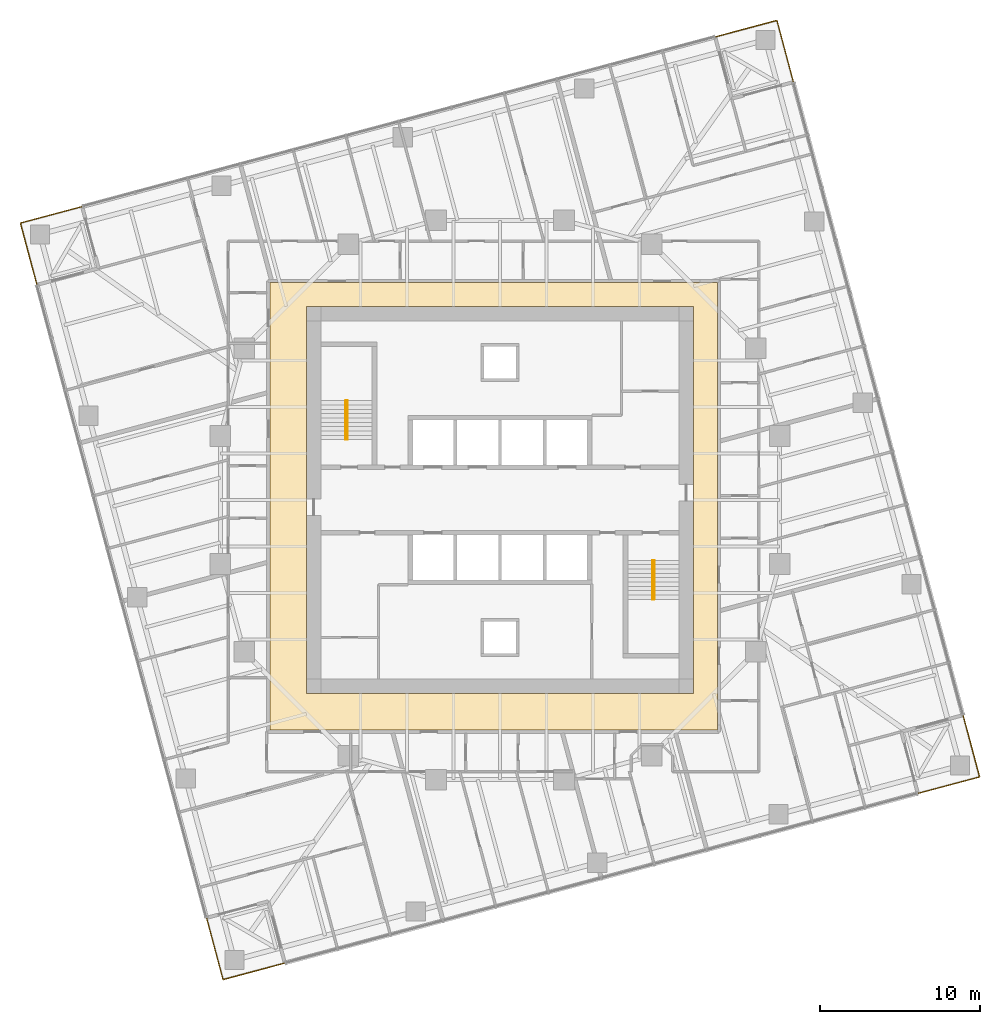
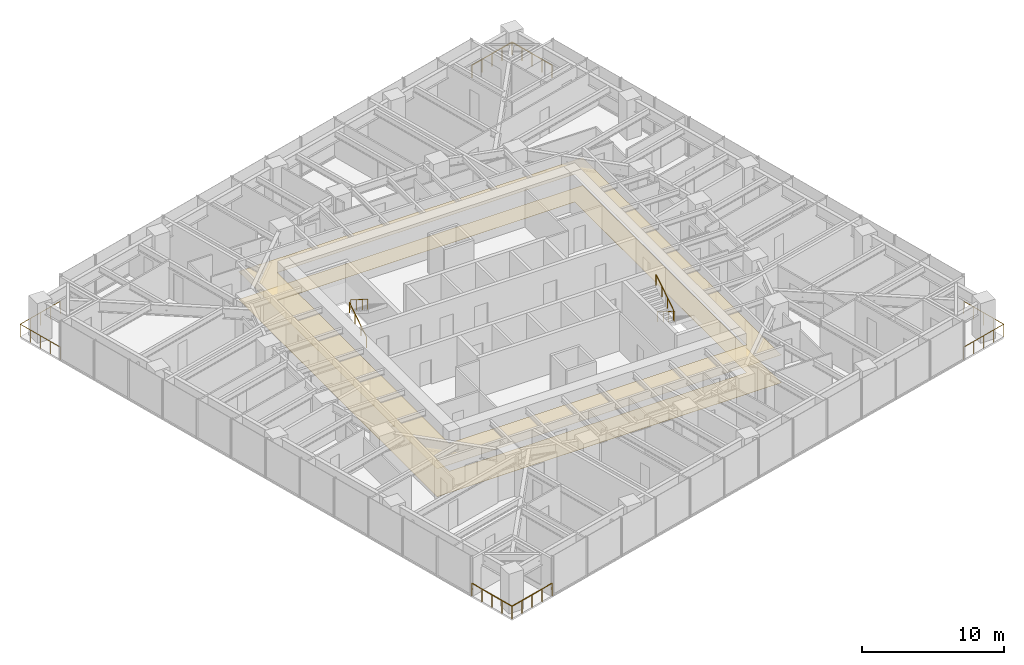
# One storey, part 14 of 14: 8 railings, 2 coverings, 2 elements without a shape of their own.
"""IFC4 building model written with IfcOpenShell, lengths in metres."""

from ifc_helpers import new_model, si_unit, direction, frame, origin, origin_2d, place, context, subcontext, project, spatial, polyline, circle, outline, extrude, material, layer, layer_set, type_object, element, aggregate, save


model = new_model("IFC4")

# Units and contexts
model_context = context("Model", 3, precision=1e-05, world=origin(), true_north=direction((0.0, 1.0)))
body_context = subcontext(model_context, "Body", "Model", "MODEL_VIEW")
ifc_project = project(units=[si_unit("LENGTHUNIT", "METRE"), si_unit("AREAUNIT", "SQUARE_METRE"), si_unit("VOLUMEUNIT", "CUBIC_METRE"), si_unit("PLANEANGLEUNIT", "RADIAN"), si_unit("MASSUNIT", "GRAM", prefix="KILO")], contexts=[model_context])

# Site, building, storey
site_placement = place(None, origin())
site = spatial("IfcSite", under=ifc_project, at=site_placement, CompositionType="ELEMENT")
building_placement = place(site_placement, origin())
building = spatial("IfcBuilding", under=site, at=building_placement, Name="Torsade Residences", CompositionType="ELEMENT")
storey_placement = place(building_placement, frame((0.0, 0.0, 128.60009765625)))
storey = spatial("IfcBuildingStorey", under=building, at=storey_placement, Name="L35", CompositionType="ELEMENT", Elevation=128.60009765625)

# Coverings
ifc_material_1 = material(Name="Nylon carpet tile on underlay", Category="textile")
ifc_layer_1 = layer(ifc_material_1, 0.010009765625)
ifc_layer_set_1 = layer_set([ifc_layer_1], Name="Nylon carpet tile on underlay")
covering_type_1 = type_object("IfcCoveringType", Name="CORRIDOR CARPET TILE 10", PredefinedType="FLOORING", material=ifc_layer_set_1)
covering_1_placement = place(storey_placement, origin())
element("IfcCovering", 1, at=covering_1_placement, inside=storey, type_object=covering_type_1, Name="Corridor carpet L35", PredefinedType="FLOORING", context=body_context, shape_type="SweptSolid", body=[
    extrude(outline(polyline([(53.60009765625, 15.60009765625), (53.60009765625, 43.60009765625), (25.60009765625, 43.60009765625), (25.60009765625, 15.60009765625), (53.60009765625, 15.60009765625)]), holes=[polyline([(52.10009765625, 42.10009765625), (27.89990234375, 42.10009765625), (27.89990234375, 17.89990234375), (52.10009765625, 17.89990234375), (52.10009765625, 42.10009765625)])]), origin(), (0.0, 0.0, 1.0), 0.010009765625),
])
ifc_material_2 = material(Name="Plasterboard on suspended steel grid", Category="steel")
ifc_layer_2 = layer(ifc_material_2, 0.012939453125)
ifc_layer_set_2 = layer_set([ifc_layer_2], Name="Plasterboard on suspended steel grid")
covering_type_2 = type_object("IfcCoveringType", Name="CORRIDOR SUSPENDED CEILING 13", PredefinedType="CEILING", material=ifc_layer_set_2)
covering_2_placement = place(storey_placement, frame((0.0, 0.0, 2.39990234375)))
element("IfcCovering", 2, at=covering_2_placement, inside=storey, type_object=covering_type_2, Name="Corridor ceiling L35", PredefinedType="CEILING", context=body_context, shape_type="SweptSolid", body=[
    extrude(outline(polyline([(53.60009765625, 15.60009765625), (53.60009765625, 43.60009765625), (25.60009765625, 43.60009765625), (25.60009765625, 15.60009765625), (53.60009765625, 15.60009765625)]), holes=[polyline([(52.10009765625, 42.10009765625), (27.89990234375, 42.10009765625), (27.89990234375, 17.89990234375), (52.10009765625, 17.89990234375), (52.10009765625, 42.10009765625)])]), origin(), (0.0, 0.0, 1.0), 0.012939453125),
])

# Stair, railings
ifc_material_3 = material(Name="Precast concrete 40 MPa", Category="concrete")
stair_type = type_object("IfcStairType", Name="HALF-TURN FIRE STAIR 1500x3400", PredefinedType="HALF_TURN_STAIR", material=ifc_material_3)
stair_1_placement = place(storey_placement, origin())
stair_1 = element("IfcStair", 3, at=stair_1_placement, inside=storey, type_object=stair_type, Name="Stair ST1 L35", PredefinedType="HALF_TURN_STAIR")
ifc_material_4 = material(Name="Steel handrail", Category="steel")
railing_type_1 = type_object("IfcRailingType", Name="STAIR HANDRAIL 900", PredefinedType="HANDRAIL", material=ifc_material_4)
railing_1_placement = place(storey_placement, frame((30.35009765625, 33.780029296875, 0.169921875)))
railing_1 = element("IfcRailing", 4, at=railing_1_placement, type_object=railing_type_1, Name="Handrail ST1 flight 1 L35", PredefinedType="HANDRAIL", context=body_context, shape_type="SweptSolid", body=[
    extrude(circle(Radius=0.02392578125, at=origin_2d()), frame((0.0, 0.0, 0.8759765625), z_axis=(0.0, 0.846221481393, 0.532831309544), x_axis=(-1.0, 0.0, 0.0)), (0.0, 0.0, 1.0), 2.87158203125),
    extrude(circle(Radius=0.02099609375, at=origin_2d()), origin(), (0.0, 0.0, 1.0), 0.851806640625),
    extrude(circle(Radius=0.02099609375, at=origin_2d()), frame((0.0, 0.81005859375, 0.510009765625)), (0.0, 0.0, 1.0), 0.851806640625),
    extrude(circle(Radius=0.02099609375, at=origin_2d()), frame((0.0, 1.619873046875, 1.02001953125)), (0.0, 0.0, 1.0), 0.851806640625),
    extrude(circle(Radius=0.02099609375, at=origin_2d()), frame((0.0, 2.429931640625, 1.530029296875)), (0.0, 0.0, 1.0), 0.851806640625),
])
railing_2_placement = place(storey_placement, frame((30.449951171875, 36.2099609375, 1.869873046875)))
railing_2 = element("IfcRailing", 5, at=railing_2_placement, type_object=railing_type_1, Name="Handrail ST1 flight 2 L35", PredefinedType="HANDRAIL", context=body_context, shape_type="SweptSolid", body=[
    extrude(circle(Radius=0.02392578125, at=origin_2d()), frame((0.0, 0.0, 0.8759765625), z_axis=(0.0, -0.846221481393, 0.532831309544), x_axis=(1.0, 0.0, 0.0)), (0.0, 0.0, 1.0), 2.87158203125),
    extrude(circle(Radius=0.02099609375, at=origin_2d()), origin(), (0.0, 0.0, 1.0), 0.851806640625),
    extrude(circle(Radius=0.02099609375, at=origin_2d()), frame((0.0, -0.81005859375, 0.510009765625)), (0.0, 0.0, 1.0), 0.851806640625),
    extrude(circle(Radius=0.02099609375, at=origin_2d()), frame((0.0, -1.619873046875, 1.02001953125)), (0.0, 0.0, 1.0), 0.851806640625),
    extrude(circle(Radius=0.02099609375, at=origin_2d()), frame((0.0, -2.429931640625, 1.530029296875)), (0.0, 0.0, 1.0), 0.851806640625),
])
aggregate(stair_1, [railing_1, railing_2])

stair_2_placement = place(storey_placement, origin())
stair_2 = element("IfcStair", 6, at=stair_2_placement, inside=storey, type_object=stair_type, Name="Stair ST2 L35", PredefinedType="HALF_TURN_STAIR")
railing_3_placement = place(storey_placement, frame((49.64990234375, 26.219970703125, 0.169921875)))
railing_3 = element("IfcRailing", 7, at=railing_3_placement, type_object=railing_type_1, Name="Handrail ST2 flight 1 L35", PredefinedType="HANDRAIL", context=body_context, shape_type="SweptSolid", body=[
    extrude(circle(Radius=0.02392578125, at=origin_2d()), frame((0.0, 0.0, 0.8759765625), z_axis=(0.0, -0.846221481393, 0.532831309544), x_axis=(1.0, 0.0, 0.0)), (0.0, 0.0, 1.0), 2.87158203125),
    extrude(circle(Radius=0.02099609375, at=origin_2d()), origin(), (0.0, 0.0, 1.0), 0.851806640625),
    extrude(circle(Radius=0.02099609375, at=origin_2d()), frame((0.0, -0.81005859375, 0.510009765625)), (0.0, 0.0, 1.0), 0.851806640625),
    extrude(circle(Radius=0.02099609375, at=origin_2d()), frame((0.0, -1.619873046875, 1.02001953125)), (0.0, 0.0, 1.0), 0.851806640625),
    extrude(circle(Radius=0.02099609375, at=origin_2d()), frame((0.0, -2.429931640625, 1.530029296875)), (0.0, 0.0, 1.0), 0.851806640625),
])
railing_4_placement = place(storey_placement, frame((49.550048828125, 23.7900390625, 1.869873046875)))
railing_4 = element("IfcRailing", 8, at=railing_4_placement, type_object=railing_type_1, Name="Handrail ST2 flight 2 L35", PredefinedType="HANDRAIL", context=body_context, shape_type="SweptSolid", body=[
    extrude(circle(Radius=0.02392578125, at=origin_2d()), frame((0.0, 0.0, 0.8759765625), z_axis=(0.0, 0.846221481393, 0.532831309544), x_axis=(-1.0, 0.0, 0.0)), (0.0, 0.0, 1.0), 2.87158203125),
    extrude(circle(Radius=0.02099609375, at=origin_2d()), origin(), (0.0, 0.0, 1.0), 0.851806640625),
    extrude(circle(Radius=0.02099609375, at=origin_2d()), frame((0.0, 0.81005859375, 0.510009765625)), (0.0, 0.0, 1.0), 0.851806640625),
    extrude(circle(Radius=0.02099609375, at=origin_2d()), frame((0.0, 1.619873046875, 1.02001953125)), (0.0, 0.0, 1.0), 0.851806640625),
    extrude(circle(Radius=0.02099609375, at=origin_2d()), frame((0.0, 2.429931640625, 1.530029296875)), (0.0, 0.0, 1.0), 0.851806640625),
])
aggregate(stair_2, [railing_3, railing_4])

# Railings
ifc_material_5 = material(Name="Laminated glass balustrade", Category="glass")
railing_type_2 = type_object("IfcRailingType", Name="TERRACE GLASS BALUSTRADE 1100", PredefinedType="BALUSTRADE", material=ifc_material_5)
railing_5_placement = place(storey_placement, frame((66.142578125, 11.640625, 0.0)))
element("IfcRailing", 9, at=railing_5_placement, inside=storey, type_object=railing_type_2, Name="Terrace balustrade SE L35", PredefinedType="BALUSTRADE", context=body_context, shape_type="SweptSolid", body=[
    extrude(circle(Radius=0.02392578125, at=origin_2d()), frame((0.0, 0.0, 1.076171875), z_axis=(0.965934430412, 0.258786931944, 0.0), x_axis=(-0.258786931944, 0.965934430412, 0.0)), (0.0, 0.0, 1.0), 4.0),
    extrude(circle(Radius=0.02392578125, at=origin_2d()), frame((3.86376953125, 1.03515625, 1.076171875), z_axis=(-0.258843877716, 0.965919172068, 0.0), x_axis=(-0.965919172068, -0.258843877716, 0.0)), (0.0, 0.0, 1.0), 4.0),
    extrude(circle(Radius=0.02099609375, at=origin_2d()), origin(), (0.0, 0.0, 1.0), 1.052001953125),
    extrude(circle(Radius=0.02099609375, at=origin_2d()), frame((0.9658203125, 0.2587890625, 0.0)), (0.0, 0.0, 1.0), 1.052001953125),
    extrude(circle(Radius=0.02099609375, at=origin_2d()), frame((1.931884765625, 0.517578125, 0.0)), (0.0, 0.0, 1.0), 1.052001953125),
    extrude(circle(Radius=0.02099609375, at=origin_2d()), frame((2.89794921875, 0.7763671875, 0.0)), (0.0, 0.0, 1.0), 1.052001953125),
    extrude(circle(Radius=0.02099609375, at=origin_2d()), frame((3.86376953125, 1.03515625, 0.0)), (0.0, 0.0, 1.0), 1.052001953125),
    extrude(circle(Radius=0.02099609375, at=origin_2d()), frame((3.60498046875, 2.0009765625, 0.0)), (0.0, 0.0, 1.0), 1.052001953125),
    extrude(circle(Radius=0.02099609375, at=origin_2d()), frame((3.34619140625, 2.967041015625, 0.0)), (0.0, 0.0, 1.0), 1.052001953125),
    extrude(circle(Radius=0.02099609375, at=origin_2d()), frame((3.087158203125, 3.93310546875, 0.0)), (0.0, 0.0, 1.0), 1.052001953125),
    extrude(circle(Radius=0.02099609375, at=origin_2d()), frame((2.828369140625, 4.89892578125, 0.0)), (0.0, 0.0, 1.0), 1.052001953125),
])
railing_6_placement = place(storey_placement, frame((58.359375, 56.142578125, 0.0)))
element("IfcRailing", 10, at=railing_6_placement, inside=storey, type_object=railing_type_2, Name="Terrace balustrade NE L35", PredefinedType="BALUSTRADE", context=body_context, shape_type="SweptSolid", body=[
    extrude(circle(Radius=0.02392578125, at=origin_2d()), frame((0.0, 0.0, 1.076171875), z_axis=(-0.258786931944, 0.965934430412, 0.0), x_axis=(-0.965934430412, -0.258786931944, 0.0)), (0.0, 0.0, 1.0), 4.0),
    extrude(circle(Radius=0.02392578125, at=origin_2d()), frame((-1.03515625, 3.86376953125, 1.076171875), z_axis=(-0.965919172068, -0.258843877716, 0.0), x_axis=(0.258843877716, -0.965919172068, 0.0)), (0.0, 0.0, 1.0), 4.0),
    extrude(circle(Radius=0.02099609375, at=origin_2d()), origin(), (0.0, 0.0, 1.0), 1.052001953125),
    extrude(circle(Radius=0.02099609375, at=origin_2d()), frame((-0.2587890625, 0.9658203125, 0.0)), (0.0, 0.0, 1.0), 1.052001953125),
    extrude(circle(Radius=0.02099609375, at=origin_2d()), frame((-0.517578125, 1.931884765625, 0.0)), (0.0, 0.0, 1.0), 1.052001953125),
    extrude(circle(Radius=0.02099609375, at=origin_2d()), frame((-0.7763671875, 2.89794921875, 0.0)), (0.0, 0.0, 1.0), 1.052001953125),
    extrude(circle(Radius=0.02099609375, at=origin_2d()), frame((-1.03515625, 3.86376953125, 0.0)), (0.0, 0.0, 1.0), 1.052001953125),
    extrude(circle(Radius=0.02099609375, at=origin_2d()), frame((-2.0009765625, 3.60498046875, 0.0)), (0.0, 0.0, 1.0), 1.052001953125),
    extrude(circle(Radius=0.02099609375, at=origin_2d()), frame((-2.967041015625, 3.34619140625, 0.0)), (0.0, 0.0, 1.0), 1.052001953125),
    extrude(circle(Radius=0.02099609375, at=origin_2d()), frame((-3.93310546875, 3.087158203125, 0.0)), (0.0, 0.0, 1.0), 1.052001953125),
    extrude(circle(Radius=0.02099609375, at=origin_2d()), frame((-4.89892578125, 2.828369140625, 0.0)), (0.0, 0.0, 1.0), 1.052001953125),
])
railing_7_placement = place(storey_placement, frame((13.857421875, 48.359375, 0.0)))
element("IfcRailing", 11, at=railing_7_placement, inside=storey, type_object=railing_type_2, Name="Terrace balustrade NW L35", PredefinedType="BALUSTRADE", context=body_context, shape_type="SweptSolid", body=[
    extrude(circle(Radius=0.02392578125, at=origin_2d()), frame((0.0, 0.0, 1.076171875), z_axis=(-0.965934430412, -0.258786931944, 0.0), x_axis=(0.258786931944, -0.965934430412, 0.0)), (0.0, 0.0, 1.0), 4.0),
    extrude(circle(Radius=0.02392578125, at=origin_2d()), frame((-3.86376953125, -1.03515625, 1.076171875), z_axis=(0.258843877716, -0.965919172068, 0.0), x_axis=(0.965919172068, 0.258843877716, 0.0)), (0.0, 0.0, 1.0), 4.0),
    extrude(circle(Radius=0.02099609375, at=origin_2d()), origin(), (0.0, 0.0, 1.0), 1.052001953125),
    extrude(circle(Radius=0.02099609375, at=origin_2d()), frame((-0.9658203125, -0.2587890625, 0.0)), (0.0, 0.0, 1.0), 1.052001953125),
    extrude(circle(Radius=0.02099609375, at=origin_2d()), frame((-1.931884765625, -0.517578125, 0.0)), (0.0, 0.0, 1.0), 1.052001953125),
    extrude(circle(Radius=0.02099609375, at=origin_2d()), frame((-2.89794921875, -0.7763671875, 0.0)), (0.0, 0.0, 1.0), 1.052001953125),
    extrude(circle(Radius=0.02099609375, at=origin_2d()), frame((-3.86376953125, -1.03515625, 0.0)), (0.0, 0.0, 1.0), 1.052001953125),
    extrude(circle(Radius=0.02099609375, at=origin_2d()), frame((-3.60498046875, -2.0009765625, 0.0)), (0.0, 0.0, 1.0), 1.052001953125),
    extrude(circle(Radius=0.02099609375, at=origin_2d()), frame((-3.34619140625, -2.967041015625, 0.0)), (0.0, 0.0, 1.0), 1.052001953125),
    extrude(circle(Radius=0.02099609375, at=origin_2d()), frame((-3.087158203125, -3.93310546875, 0.0)), (0.0, 0.0, 1.0), 1.052001953125),
    extrude(circle(Radius=0.02099609375, at=origin_2d()), frame((-2.828369140625, -4.89892578125, 0.0)), (0.0, 0.0, 1.0), 1.052001953125),
])
railing_8_placement = place(storey_placement, frame((21.640625, 3.857421875, 0.0)))
element("IfcRailing", 12, at=railing_8_placement, inside=storey, type_object=railing_type_2, Name="Terrace balustrade SW L35", PredefinedType="BALUSTRADE", context=body_context, shape_type="SweptSolid", body=[
    extrude(circle(Radius=0.02392578125, at=origin_2d()), frame((0.0, 0.0, 1.076171875), z_axis=(0.258786931944, -0.965934430412, 0.0), x_axis=(0.965934430412, 0.258786931944, 0.0)), (0.0, 0.0, 1.0), 4.0),
    extrude(circle(Radius=0.02392578125, at=origin_2d()), frame((1.03515625, -3.86376953125, 1.076171875), z_axis=(0.965919172068, 0.258843877716, 0.0), x_axis=(-0.258843877716, 0.965919172068, 0.0)), (0.0, 0.0, 1.0), 4.0),
    extrude(circle(Radius=0.02099609375, at=origin_2d()), origin(), (0.0, 0.0, 1.0), 1.052001953125),
    extrude(circle(Radius=0.02099609375, at=origin_2d()), frame((0.2587890625, -0.9658203125, 0.0)), (0.0, 0.0, 1.0), 1.052001953125),
    extrude(circle(Radius=0.02099609375, at=origin_2d()), frame((0.517578125, -1.931884765625, 0.0)), (0.0, 0.0, 1.0), 1.052001953125),
    extrude(circle(Radius=0.02099609375, at=origin_2d()), frame((0.7763671875, -2.89794921875, 0.0)), (0.0, 0.0, 1.0), 1.052001953125),
    extrude(circle(Radius=0.02099609375, at=origin_2d()), frame((1.03515625, -3.86376953125, 0.0)), (0.0, 0.0, 1.0), 1.052001953125),
    extrude(circle(Radius=0.02099609375, at=origin_2d()), frame((2.0009765625, -3.60498046875, 0.0)), (0.0, 0.0, 1.0), 1.052001953125),
    extrude(circle(Radius=0.02099609375, at=origin_2d()), frame((2.967041015625, -3.34619140625, 0.0)), (0.0, 0.0, 1.0), 1.052001953125),
    extrude(circle(Radius=0.02099609375, at=origin_2d()), frame((3.93310546875, -3.087158203125, 0.0)), (0.0, 0.0, 1.0), 1.052001953125),
    extrude(circle(Radius=0.02099609375, at=origin_2d()), frame((4.89892578125, -2.828369140625, 0.0)), (0.0, 0.0, 1.0), 1.052001953125),
])

save(model, "model.ifc")
